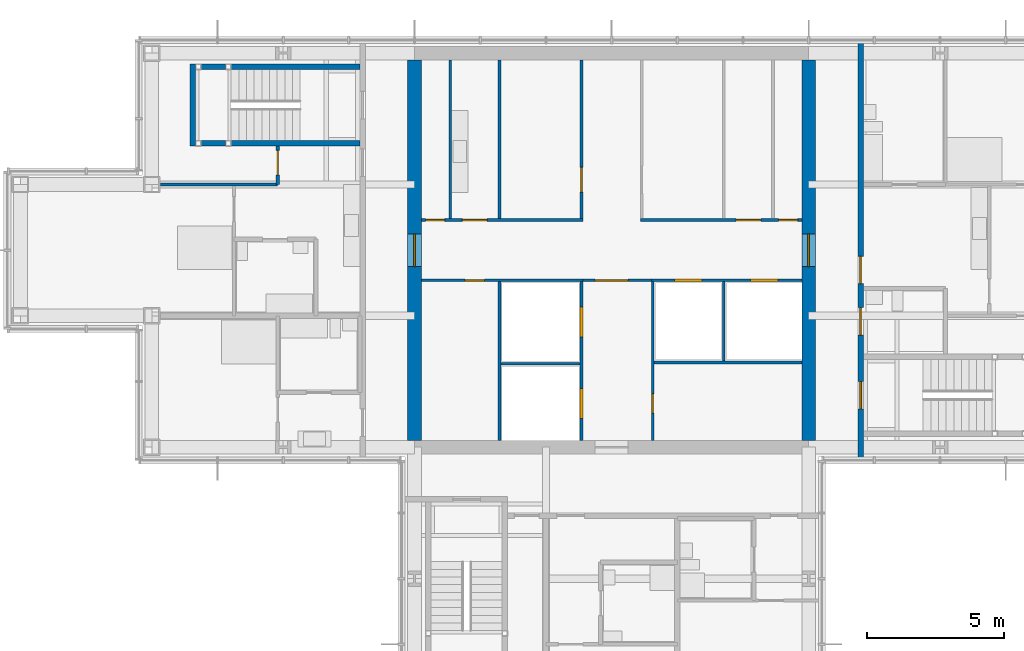
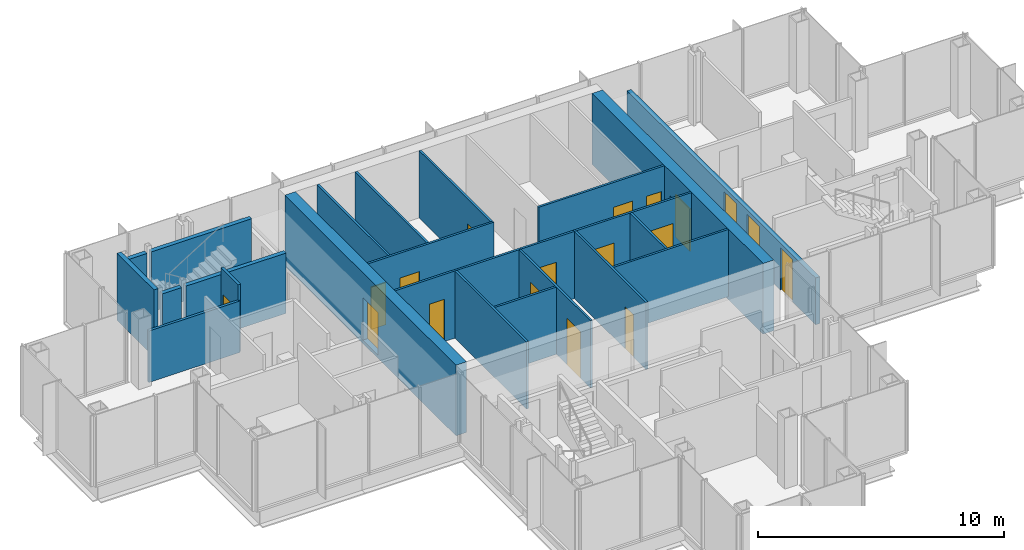
# One storey, part 11 of 15: 24 walls, 18 doors, 18 openings.
"""IFC4 building model written with IfcOpenShell, lengths in metres."""

import ifcopenshell
import ifcopenshell.guid

model = None  # the IFC model being written
_history = None  # IfcOwnerHistory: only IFC2X3 demands one
_inside = {}  # id of a spatial element -> (the spatial element, [elements in it])
_under = {}  # id of a project, library or spatial element -> (it, [spatial elements below it])
_declared = {}  # id of a project -> (the project, [libraries it declares])
_typed = {}  # id of a type object -> (the type object, [elements of that type])
_made_of = {}  # id of a material, layer set ... -> (it, [elements and type objects made of it])


def new_model(schema):
    """Start an empty IFC model of exactly this schema.

    Asked for "IFC4X3", IfcOpenShell would pick the latest addendum, in which some entities
    have other attributes; the version numbers below select the first issue.
    IFC2X3 requires an IfcOwnerHistory on every rooted entity: one is made here for all.
    """
    global model, _history
    if schema == "IFC4X3":
        model = ifcopenshell.file(schema_version=(4, 3, 0, 0))
    else:
        model = ifcopenshell.file(schema=schema)
    _inside.clear()
    _under.clear()
    _declared.clear()
    _typed.clear()
    _made_of.clear()
    _history = None
    if model.schema == "IFC2X3":
        org = make("IfcOrganization", Name="unknown")
        user = make(
            "IfcPersonAndOrganization",
            ThePerson=make("IfcPerson", FamilyName="unknown"),
            TheOrganization=org,
        )
        app = make(
            "IfcApplication",
            ApplicationDeveloper=org,
            Version="unknown",
            ApplicationFullName="unknown",
            ApplicationIdentifier="unknown",
        )
        _history = make(
            "IfcOwnerHistory",
            OwningUser=user,
            OwningApplication=app,
            ChangeAction="ADDED",
            CreationDate=0,
        )
    return model


def make(cls, **values):
    """One entity of the class cls with the attributes given. An attribute that is None is left unset."""
    return model.create_entity(
        cls, **{name: value for name, value in values.items() if value is not None}
    )


def rooted(cls, **values):
    """An entity with a GlobalId (a new one), such as an element, a storey or a relation."""
    return make(cls, GlobalId=ifcopenshell.guid.new(), OwnerHistory=_history, **values)


def si_unit(unit_type, name, prefix=None):
    """IfcSIUnit, for example si_unit("LENGTHUNIT", "METRE", prefix="MILLI")."""
    return make("IfcSIUnit", UnitType=unit_type, Prefix=prefix, Name=name)


def assignment(units):
    """IfcUnitAssignment: the units of a project."""
    return None if units is None else make("IfcUnitAssignment", Units=units)


def point(xyz):
    """IfcCartesianPoint."""
    return None if xyz is None else make("IfcCartesianPoint", Coordinates=xyz)


def direction(xyz):
    """IfcDirection."""
    return None if xyz is None else make("IfcDirection", DirectionRatios=xyz)


def frame(location, z_axis=None, x_axis=None):
    """IfcAxis2Placement3D, a coordinate frame: its origin and axes. An axis left out is left unset."""
    return make(
        "IfcAxis2Placement3D",
        Location=point(location),
        Axis=direction(z_axis),
        RefDirection=direction(x_axis),
    )


def frame_2d(location, x_axis=None):
    """IfcAxis2Placement2D, a coordinate frame in the plane: its origin and x axis."""
    return make(
        "IfcAxis2Placement2D", Location=point(location), RefDirection=direction(x_axis)
    )


def origin():
    """The frame at (0, 0, 0) with its axes left unset."""
    return frame((0.0, 0.0, 0.0))


def place(relative_to, where):
    """IfcLocalPlacement: puts the frame where relative to a parent placement (None: the world)."""
    return make(
        "IfcLocalPlacement", PlacementRelTo=relative_to, RelativePlacement=where
    )


def context(
    kind, dimensions, precision=None, world=None, true_north=None, identifier=None
):
    """IfcGeometricRepresentationContext, for example the 3D "Model" context."""
    return make(
        "IfcGeometricRepresentationContext",
        ContextIdentifier=identifier,
        ContextType=kind,
        CoordinateSpaceDimension=dimensions,
        Precision=precision,
        WorldCoordinateSystem=world,
        TrueNorth=true_north,
    )


def subcontext(parent, identifier, kind, view, scale=None):
    """IfcGeometricRepresentationSubContext, for example "Body" below "Model"."""
    return make(
        "IfcGeometricRepresentationSubContext",
        ContextIdentifier=identifier,
        ContextType=kind,
        ParentContext=parent,
        TargetScale=scale,
        TargetView=view,
    )


def project(units=None, contexts=None):
    """IfcProject with its units and contexts."""
    return rooted(
        "IfcProject",
        Name="project",
        RepresentationContexts=contexts,
        UnitsInContext=assignment(units),
    )


def spatial(cls, under=None, at=None, **own):
    """A site, building, storey or space (cls), placed at a placement, below another one or the project."""
    s = rooted(cls, ObjectPlacement=at, **own)
    if under is not None:
        _under.setdefault(under.id(), (under, []))[1].append(s)
    return s


def profile(cls, at=None, kind="AREA", **sizes):
    """A parametric profile (cls). Its sizes go by their IFC names, for example OverallWidth=200.0."""
    return make(cls, ProfileType=kind, Position=at, **sizes)


def rectangle(**sizes):
    """IfcRectangleProfileDef."""
    return profile("IfcRectangleProfileDef", **sizes)


def extrude(swept, where, along, depth):
    """IfcExtrudedAreaSolid: the profile swept, set in the frame where, extruded along a direction by depth."""
    return make(
        "IfcExtrudedAreaSolid",
        SweptArea=swept,
        Position=where,
        ExtrudedDirection=direction(along),
        Depth=depth,
    )


def shape(context_of_items, identifier, shape_type, items):
    """IfcShapeRepresentation: the items that make up one representation, for example the "Body"."""
    return make(
        "IfcShapeRepresentation",
        ContextOfItems=context_of_items,
        RepresentationIdentifier=identifier,
        RepresentationType=shape_type,
        Items=items,
    )


def material(Name=None, Category=None):
    """IfcMaterial."""
    return make("IfcMaterial", Name=Name, Category=Category)


def layer(
    of_material, thickness, ventilated=None, Name=None, Category=None, Priority=None
):
    """IfcMaterialLayer: one layer of a wall or slab, of a material (None: an air gap)."""
    return make(
        "IfcMaterialLayer",
        Material=of_material,
        LayerThickness=thickness,
        IsVentilated=ventilated,
        Name=Name,
        Category=Category,
        Priority=Priority,
    )


def layer_set(layers, Name=None):
    """IfcMaterialLayerSet."""
    return make("IfcMaterialLayerSet", MaterialLayers=layers, LayerSetName=Name)


def made_of(thing, what):
    """Note that an element or type object is made of a material, layer set ...; save() writes the relation."""
    if what is not None:
        _made_of.setdefault(what.id(), (what, []))[1].append(thing)
    return thing


def type_object(cls, material=None, **own):
    """A type object (cls), such as IfcWallType, which elements share."""
    return made_of(rooted(cls, **own), material)


def element(
    cls,
    number,
    at=None,
    inside=None,
    cuts=None,
    type_object=None,
    material=None,
    context=None,
    identifier="Body",
    shape_type=None,
    held_by="IfcProductDefinitionShape",
    body=None,
    shapes=None,
    **own,
):
    """One element of the class cls, such as IfcWall. Its Tag is "e" and its number.

    at: its placement. inside: the storey or other place that contains it. cuts: it is an
    opening in that element (IfcRelVoidsElement). A single representation is given by context,
    identifier, shape_type and body (its items); several are given by shapes. held_by: the class
    of the entity that holds the representations. save() writes the other relations.
    """
    e = rooted(cls, Tag="e%d" % number, ObjectPlacement=at, **own)
    if body is not None:
        shapes = [shape(context, identifier, shape_type, body)]
    if shapes is not None:
        e.Representation = make(held_by, Representations=shapes)
    if inside is not None:
        _inside.setdefault(inside.id(), (inside, []))[1].append(e)
    if cuts is not None:
        rooted(
            "IfcRelVoidsElement", RelatingBuildingElement=cuts, RelatedOpeningElement=e
        )
    if type_object is not None:
        _typed.setdefault(type_object.id(), (type_object, []))[1].append(e)
    return made_of(e, material)


def fill(opening, filler):
    """IfcRelFillsElement: the door or window that sits in an opening."""
    return rooted(
        "IfcRelFillsElement",
        RelatingOpeningElement=opening,
        RelatedBuildingElement=filler,
    )


def aggregate(whole, parts):
    """IfcRelAggregates: a whole, such as a stair, and the parts it consists of."""
    return rooted("IfcRelAggregates", RelatingObject=whole, RelatedObjects=parts)


def save(model, path):
    """Write the relations noted so far, then the file.

    IfcRelAggregates (storeys below a building ...), IfcRelContainedInSpatialStructure (elements
    in a storey), IfcRelDefinesByType, IfcRelAssociatesMaterial and IfcRelDeclares: one each for
    every whole, place, type object, material and project.
    """
    for whole, parts in _under.values():
        aggregate(whole, parts)
    for where, things in _inside.values():
        rooted(
            "IfcRelContainedInSpatialStructure",
            RelatedElements=things,
            RelatingStructure=where,
        )
    for kind, things in _typed.values():
        rooted("IfcRelDefinesByType", RelatedObjects=things, RelatingType=kind)
    for what, things in _made_of.values():
        rooted("IfcRelAssociatesMaterial", RelatedObjects=things, RelatingMaterial=what)
    for by, libraries in _declared.values():
        rooted("IfcRelDeclares", RelatingContext=by, RelatedDefinitions=libraries)
    model.write(path)


model = new_model("IFC4")

# Units and contexts
model_context = context("Model", 3, precision=1e-05, world=origin(), true_north=direction((0.0, 1.0)))
body_context = subcontext(model_context, "Body", "Model", "MODEL_VIEW")
ifc_project = project(units=[si_unit("LENGTHUNIT", "METRE"), si_unit("AREAUNIT", "SQUARE_METRE"), si_unit("VOLUMEUNIT", "CUBIC_METRE"), si_unit("PLANEANGLEUNIT", "RADIAN"), si_unit("MASSUNIT", "GRAM", prefix="KILO")], contexts=[model_context])

# Site, building, storey
site_placement = place(None, origin())
site = spatial("IfcSite", under=ifc_project, at=site_placement, CompositionType="ELEMENT")
building_placement = place(site_placement, origin())
building = spatial("IfcBuilding", under=site, at=building_placement, Name="Kvirike Care Tower", CompositionType="ELEMENT")
storey_placement = place(building_placement, frame((0.0, 0.0, 208.5)))
storey = spatial("IfcBuildingStorey", under=building, at=storey_placement, Name="L57", CompositionType="ELEMENT", Elevation=208.5)

# Wall, opening, door
ifc_material_1 = material(Name="Concrete C40/50", Category="concrete")
ifc_layer_1 = layer(ifc_material_1, 0.5)
ifc_layer_set_1 = layer_set([ifc_layer_1], Name="CORE WALL 500 C40-50")
wall_type_1 = type_object("IfcWallType", Name="CORE WALL 500 C40-50", PredefinedType="SHEAR", material=ifc_layer_set_1)
wall_1_placement = place(storey_placement, frame((14.39990234375, 42.949951171875, -0.169921875), z_axis=(0.0, 0.0, 1.0), x_axis=(0.0, -1.0, 0.0)))
wall_1 = element("IfcWall", 1, at=wall_1_placement, inside=storey, type_object=wall_type_1, Name="Core wall W L57", PredefinedType="SHEAR", context=body_context, shape_type="SweptSolid", body=[
    extrude(rectangle(XDim=13.89990234375, YDim=0.5, at=frame_2d((6.949951171875, 0.0))), origin(), (0.0, 0.0, 1.0), 3.5),
])
opening_1_placement = place(wall_1_placement, frame((6.35009765625, 0.0, 0.169921875)))
opening_1 = element("IfcOpeningElement", 2, at=opening_1_placement, cuts=wall_1, Name="Opening 57-038", PredefinedType="OPENING", context=body_context, shape_type="SweptSolid", body=[
    extrude(rectangle(XDim=1.199951171875, YDim=2.10009765625, at=frame_2d((0.60009765625, 1.050048828125))), frame((0.0, 0.260498046875, 0.0), z_axis=(0.0, -1.0, 0.0), x_axis=(1.0, 0.0, 0.0)), (0.0, 0.0, 1.0), 0.52099609375),
])
ifc_material_2 = material(Name="Timber door set", Category="wood")
door_type_1 = type_object("IfcDoorType", Name="CORE DOOR 1200", OperationType="SINGLE_SWING_LEFT", PredefinedType="DOOR", material=ifc_material_2)
door_1_placement = place(opening_1_placement, origin())
door_1 = element("IfcDoor", 3, at=door_1_placement, inside=storey, type_object=door_type_1, Name="Core door W L57", OperationType="SINGLE_SWING_LEFT", OverallHeight=2.10009765625, OverallWidth=1.199951171875, PredefinedType="DOOR", context=body_context, shape_type="SweptSolid", body=[
    extrude(rectangle(XDim=1.199951171875, YDim=2.10009765625, at=frame_2d((0.60009765625, 1.050048828125))), frame((0.0, 0.02685546875, 0.0), z_axis=(0.0, -1.0, 0.0), x_axis=(1.0, 0.0, 0.0)), (0.0, 0.0, 1.0), 0.053955078125),
])
fill(opening_1, door_1)

wall_2_placement = place(storey_placement, frame((28.800048828125, 29.050048828125, -0.169921875), z_axis=(0.0, 0.0, 1.0), x_axis=(0.0, 1.0, 0.0)))
wall_2 = element("IfcWall", 4, at=wall_2_placement, inside=storey, type_object=wall_type_1, Name="Core wall E L57", PredefinedType="SHEAR", context=body_context, shape_type="SweptSolid", body=[
    extrude(rectangle(XDim=13.89990234375, YDim=0.5, at=frame_2d((6.949951171875, 0.0))), origin(), (0.0, 0.0, 1.0), 3.5),
])
opening_2_placement = place(wall_2_placement, frame((6.35009765625, 0.0, 0.169921875)))
opening_2 = element("IfcOpeningElement", 5, at=opening_2_placement, cuts=wall_2, Name="Opening 57-039", PredefinedType="OPENING", context=body_context, shape_type="SweptSolid", body=[
    extrude(rectangle(XDim=1.199951171875, YDim=2.10009765625, at=frame_2d((0.60009765625, 1.050048828125))), frame((0.0, 0.260498046875, 0.0), z_axis=(0.0, -1.0, 0.0), x_axis=(1.0, 0.0, 0.0)), (0.0, 0.0, 1.0), 0.52099609375),
])
door_2_placement = place(opening_2_placement, origin())
door_2 = element("IfcDoor", 6, at=door_2_placement, inside=storey, type_object=door_type_1, Name="Core door E L57", OperationType="SINGLE_SWING_LEFT", OverallHeight=2.10009765625, OverallWidth=1.199951171875, PredefinedType="DOOR", context=body_context, shape_type="SweptSolid", body=[
    extrude(rectangle(XDim=1.199951171875, YDim=2.10009765625, at=frame_2d((0.60009765625, 1.050048828125))), frame((0.0, 0.02685546875, 0.0), z_axis=(0.0, -1.0, 0.0), x_axis=(1.0, 0.0, 0.0)), (0.0, 0.0, 1.0), 0.053955078125),
])
fill(opening_2, door_2)

# Wall, openings, doors
ifc_material_3 = material(Name="Plasterboard corridor wall", Category="gypsum")
ifc_layer_2 = layer(ifc_material_3, 0.199951171875)
ifc_layer_set_2 = layer_set([ifc_layer_2], Name="CORRIDOR WALL 200")
wall_type_2 = type_object("IfcWallType", Name="CORRIDOR WALL 200", PredefinedType="PARTITIONING", material=ifc_layer_set_2)
wall_3_placement = place(storey_placement, frame((30.699951171875, 28.344970703125, 0.0), z_axis=(0.0, 0.0, 1.0), x_axis=(0.0, 1.0, 0.0)))
wall_3 = element("IfcWall", 7, at=wall_3_placement, inside=storey, type_object=wall_type_2, Name="Corridor Wall 200 L57", PredefinedType="PARTITIONING", context=body_context, shape_type="SweptSolid", body=[
    extrude(rectangle(XDim=15.31005859375, YDim=0.199951171875, at=frame_2d((7.655029296875, 0.0))), origin(), (0.0, 0.0, 1.0), 2.320068359375),
])
opening_3_placement = place(wall_3_placement, frame((1.85498046875, 0.0, 0.0)))
opening_3 = element("IfcOpeningElement", 8, at=opening_3_placement, cuts=wall_3, Name="Opening 57-021", PredefinedType="OPENING", context=body_context, shape_type="SweptSolid", body=[
    extrude(rectangle(XDim=1.0, YDim=2.10009765625, at=frame_2d((0.5, 1.050048828125))), frame((0.0, 0.110595703125, 0.0), z_axis=(0.0, -1.0, 0.0), x_axis=(1.0, 0.0, 0.0)), (0.0, 0.0, 1.0), 0.220947265625),
])
opening_4_placement = place(wall_3_placement, frame((4.554931640625, 0.0, 0.0)))
opening_4 = element("IfcOpeningElement", 9, at=opening_4_placement, cuts=wall_3, Name="Opening 57-022", PredefinedType="OPENING", context=body_context, shape_type="SweptSolid", body=[
    extrude(rectangle(XDim=1.0, YDim=2.10009765625, at=frame_2d((0.5, 1.050048828125))), frame((0.0, 0.110595703125, 0.0), z_axis=(0.0, -1.0, 0.0), x_axis=(1.0, 0.0, 0.0)), (0.0, 0.0, 1.0), 0.220947265625),
])
opening_5_placement = place(wall_3_placement, frame((6.429931640625, 0.0, 0.0)))
opening_5 = element("IfcOpeningElement", 10, at=opening_5_placement, cuts=wall_3, Name="Opening 57-023", PredefinedType="OPENING", context=body_context, shape_type="SweptSolid", body=[
    extrude(rectangle(XDim=1.0, YDim=2.10009765625, at=frame_2d((0.5, 1.050048828125))), frame((0.0, 0.110595703125, 0.0), z_axis=(0.0, -1.0, 0.0), x_axis=(1.0, 0.0, 0.0)), (0.0, 0.0, 1.0), 0.220947265625),
])
ifc_material_4 = material(Name="Timber door set", Category="wood")
door_type_2 = type_object("IfcDoorType", Name="FLAT ENTRANCE DOOR 1000", OperationType="SINGLE_SWING_LEFT", PredefinedType="DOOR", material=ifc_material_4)
door_3_placement = place(opening_5_placement, frame((1.0, 0.0, 0.0), z_axis=(0.0, 0.0, 1.0), x_axis=(-1.0, 0.0, 0.0)))
door_3 = element("IfcDoor", 11, at=door_3_placement, inside=storey, type_object=door_type_2, Name="Two-bedroom apartment entrance", OperationType="SINGLE_SWING_LEFT", OverallHeight=2.10009765625, OverallWidth=1.0, PredefinedType="DOOR", context=body_context, shape_type="SweptSolid", body=[
    extrude(rectangle(XDim=1.0, YDim=2.10009765625, at=frame_2d((0.5, 1.050048828125))), frame((0.0, 0.02685546875, 0.0), z_axis=(0.0, -1.0, 0.0), x_axis=(1.0, 0.0, 0.0)), (0.0, 0.0, 1.0), 0.053955078125),
])
fill(opening_5, door_3)
ifc_material_5 = material(Name="Timber door set", Category="wood")
door_type_3 = type_object("IfcDoorType", Name="STAIR DOOR 1000", OperationType="SINGLE_SWING_LEFT", PredefinedType="DOOR", material=ifc_material_5)
door_4_placement = place(opening_3_placement, frame((1.0, 0.0, 0.0), z_axis=(0.0, 0.0, 1.0), x_axis=(-1.0, 0.0, 0.0)))
door_4 = element("IfcDoor", 12, at=door_4_placement, inside=storey, type_object=door_type_3, Name="Stair 2 door", OperationType="SINGLE_SWING_RIGHT", OverallHeight=2.10009765625, OverallWidth=1.0, PredefinedType="DOOR", context=body_context, shape_type="SweptSolid", body=[
    extrude(rectangle(XDim=1.0, YDim=2.10009765625, at=frame_2d((0.5, 1.050048828125))), frame((0.0, 0.031982421875, 0.0), z_axis=(0.0, -1.0, 0.0), x_axis=(1.0, 0.0, 0.0)), (0.0, 0.0, 1.0), 0.06396484375),
])
fill(opening_3, door_4)
ifc_material_6 = material(Name="Timber door set", Category="wood")
door_type_4 = type_object("IfcDoorType", Name="WC DOOR 1000", OperationType="SINGLE_SWING_LEFT", PredefinedType="DOOR", material=ifc_material_6)
door_5_placement = place(opening_4_placement, frame((1.0, 0.0, 0.0), z_axis=(0.0, 0.0, 1.0), x_axis=(-1.0, 0.0, 0.0)))
door_5 = element("IfcDoor", 13, at=door_5_placement, inside=storey, type_object=door_type_4, Name="Accessible WC door", OperationType="SINGLE_SWING_LEFT", OverallHeight=2.10009765625, OverallWidth=1.0, PredefinedType="DOOR", context=body_context, shape_type="SweptSolid", body=[
    extrude(rectangle(XDim=1.0, YDim=2.10009765625, at=frame_2d((0.5, 1.050048828125))), frame((0.0, 0.02685546875, 0.0), z_axis=(0.0, -1.0, 0.0), x_axis=(1.0, 0.0, 0.0)), (0.0, 0.0, 1.0), 0.053955078125),
])
fill(opening_4, door_5)

# Wall, opening, door
ifc_material_7 = material(Name="Plasterboard partition", Category="gypsum")
ifc_layer_3 = layer(ifc_material_7, 0.1201171875)
ifc_layer_set_3 = layer_set([ifc_layer_3], Name="PARTITION 120")
wall_type_3 = type_object("IfcWallType", Name="PARTITION 120", PredefinedType="PARTITIONING", material=ifc_layer_set_3)
wall_4_placement = place(storey_placement, frame((9.39990234375, 39.800048828125, 0.0), z_axis=(0.0, 0.0, 1.0), x_axis=(0.0, -1.0, 0.0)))
wall_4 = element("IfcWall", 14, at=wall_4_placement, inside=storey, type_object=wall_type_3, Name="Partition 120 L57", PredefinedType="PARTITIONING", context=body_context, shape_type="SweptSolid", body=[
    extrude(rectangle(XDim=1.400146484375, YDim=0.1201171875, at=frame_2d((0.7001953125, 0.0))), origin(), (0.0, 0.0, 1.0), 3.330078125),
])
opening_6_placement = place(wall_4_placement, frame((0.14990234375, 0.0, 0.0)))
opening_6 = element("IfcOpeningElement", 15, at=opening_6_placement, cuts=wall_4, Name="Opening 57-002", PredefinedType="OPENING", context=body_context, shape_type="SweptSolid", body=[
    extrude(rectangle(XDim=0.89990234375, YDim=2.10009765625, at=frame_2d((0.449951171875, 1.050048828125))), frame((0.0, 0.070556640625, 0.0), z_axis=(0.0, -1.0, 0.0), x_axis=(1.0, 0.0, 0.0)), (0.0, 0.0, 1.0), 0.14111328125),
])
ifc_material_8 = material(Name="Timber door set", Category="wood")
door_type_5 = type_object("IfcDoorType", Name="INTERNAL DOOR 900", OperationType="SINGLE_SWING_LEFT", PredefinedType="DOOR", material=ifc_material_8)
door_6_placement = place(opening_6_placement, frame((0.89990234375, 0.0, 0.0), z_axis=(0.0, 0.0, 1.0), x_axis=(-1.0, 0.0, 0.0)))
door_6 = element("IfcDoor", 16, at=door_6_placement, inside=storey, type_object=door_type_5, Name="Apartment living room door", OperationType="SINGLE_SWING_LEFT", OverallHeight=2.10009765625, OverallWidth=0.89990234375, PredefinedType="DOOR", context=body_context, shape_type="SweptSolid", body=[
    extrude(rectangle(XDim=0.89990234375, YDim=2.10009765625, at=frame_2d((0.449951171875, 1.050048828125))), frame((0.0, 0.02197265625, 0.0), z_axis=(0.0, -1.0, 0.0), x_axis=(1.0, 0.0, 0.0)), (0.0, 0.0, 1.0), 0.0439453125),
])
fill(opening_6, door_6)

# Walls
wall_5_placement = place(storey_placement, frame((5.1201171875, 38.39990234375, 0.0), z_axis=(0.0, 0.0, 1.0), x_axis=(1.0, 0.0, 0.0)))
element("IfcWall", 17, at=wall_5_placement, inside=storey, type_object=wall_type_3, Name="Partition 120 L57", PredefinedType="PARTITIONING", context=body_context, shape_type="SweptSolid", body=[
    extrude(rectangle(XDim=4.27978515625, YDim=0.1201171875, at=frame_2d((2.139892578125, 0.0))), origin(), (0.0, 0.0, 1.0), 2.550048828125),
])
ifc_material_9 = material(Name="Gypsum shaft wall system", Category="gypsum")
ifc_layer_4 = layer(ifc_material_9, 0.10009765625)
ifc_layer_set_4 = layer_set([ifc_layer_4], Name="SHAFT WALL 100")
wall_type_4 = type_object("IfcWallType", Name="SHAFT WALL 100", PredefinedType="SOLIDWALL", material=ifc_layer_set_4)
wall_6_placement = place(storey_placement, frame((15.699951171875, 37.14990234375, 0.0), z_axis=(0.0, 0.0, 1.0), x_axis=(0.0, 1.0, 0.0)))
element("IfcWall", 18, at=wall_6_placement, inside=storey, type_object=wall_type_4, Name="Shaft Wall 100 L57", PredefinedType="SOLIDWALL", context=body_context, shape_type="SweptSolid", body=[
    extrude(rectangle(XDim=5.800048828125, YDim=0.10009765625, at=frame_2d((2.89990234375, 0.0))), origin(), (0.0, 0.0, 1.0), 3.330078125),
])

# Wall, openings, doors
wall_7_placement = place(storey_placement, frame((20.5, 29.050048828125, 0.0), z_axis=(0.0, 0.0, 1.0), x_axis=(0.0, 1.0, 0.0)))
wall_7 = element("IfcWall", 19, at=wall_7_placement, inside=storey, type_object=wall_type_4, Name="Shaft Wall 100 L57", PredefinedType="SOLIDWALL", context=body_context, shape_type="SweptSolid", body=[
    extrude(rectangle(XDim=5.800048828125, YDim=0.10009765625, at=frame_2d((2.89990234375, 0.0))), origin(), (0.0, 0.0, 1.0), 3.330078125),
])
opening_7_placement = place(wall_7_placement, frame((0.800048828125, 0.0, 0.0)))
opening_7 = element("IfcOpeningElement", 20, at=opening_7_placement, cuts=wall_7, Name="Opening 57-024", PredefinedType="OPENING", context=body_context, shape_type="SweptSolid", body=[
    extrude(rectangle(XDim=1.10009765625, YDim=2.300048828125, at=frame_2d((0.550048828125, 1.14990234375))), frame((0.0, 0.060546875, 0.0), z_axis=(0.0, -1.0, 0.0), x_axis=(1.0, 0.0, 0.0)), (0.0, 0.0, 1.0), 0.12109375),
])
opening_8_placement = place(wall_7_placement, frame((3.77490234375, 0.0, 0.0)))
opening_8 = element("IfcOpeningElement", 21, at=opening_8_placement, cuts=wall_7, Name="Opening 57-025", PredefinedType="OPENING", context=body_context, shape_type="SweptSolid", body=[
    extrude(rectangle(XDim=1.10009765625, YDim=2.300048828125, at=frame_2d((0.550048828125, 1.14990234375))), frame((0.0, 0.060546875, 0.0), z_axis=(0.0, -1.0, 0.0), x_axis=(1.0, 0.0, 0.0)), (0.0, 0.0, 1.0), 0.12109375),
])
ifc_material_10 = material(Name="Aluminium door frame", Category="aluminium")
door_type_6 = type_object("IfcDoorType", Name="FIRE-FIGHTING LIFT LANDING DOOR 1100", OperationType="SLIDING_TO_LEFT", PredefinedType="DOOR", material=ifc_material_10)
door_7_placement = place(opening_7_placement, origin())
door_7 = element("IfcDoor", 22, at=door_7_placement, inside=storey, type_object=door_type_6, Name="Lift FF1 landing door", OperationType="SLIDING_TO_LEFT", OverallHeight=2.300048828125, OverallWidth=1.10009765625, PredefinedType="DOOR", context=body_context, shape_type="SweptSolid", body=[
    extrude(rectangle(XDim=1.10009765625, YDim=2.300048828125, at=frame_2d((0.550048828125, 1.14990234375))), frame((0.0, 0.0498046875, 0.0), z_axis=(0.0, -1.0, 0.0), x_axis=(1.0, 0.0, 0.0)), (0.0, 0.0, 1.0), 0.099609375),
])
fill(opening_7, door_7)
door_8_placement = place(opening_8_placement, origin())
door_8 = element("IfcDoor", 23, at=door_8_placement, inside=storey, type_object=door_type_6, Name="Lift FF2 landing door", OperationType="SLIDING_TO_LEFT", OverallHeight=2.300048828125, OverallWidth=1.10009765625, PredefinedType="DOOR", context=body_context, shape_type="SweptSolid", body=[
    extrude(rectangle(XDim=1.10009765625, YDim=2.300048828125, at=frame_2d((0.550048828125, 1.14990234375))), frame((0.0, 0.0498046875, 0.0), z_axis=(0.0, -1.0, 0.0), x_axis=(1.0, 0.0, 0.0)), (0.0, 0.0, 1.0), 0.099609375),
])
fill(opening_8, door_8)

# Wall, opening, door
wall_8_placement = place(storey_placement, frame((20.5, 37.14990234375, 0.0), z_axis=(0.0, 0.0, 1.0), x_axis=(0.0, 1.0, 0.0)))
wall_8 = element("IfcWall", 24, at=wall_8_placement, inside=storey, type_object=wall_type_4, Name="Shaft Wall 100 L57", PredefinedType="SOLIDWALL", context=body_context, shape_type="SweptSolid", body=[
    extrude(rectangle(XDim=5.800048828125, YDim=0.10009765625, at=frame_2d((2.89990234375, 0.0))), origin(), (0.0, 0.0, 1.0), 3.330078125),
])
opening_9_placement = place(wall_8_placement, frame((0.97509765625, 0.0, 0.0)))
opening_9 = element("IfcOpeningElement", 25, at=opening_9_placement, cuts=wall_8, Name="Opening 57-026", PredefinedType="OPENING", context=body_context, shape_type="SweptSolid", body=[
    extrude(rectangle(XDim=0.89990234375, YDim=2.10009765625, at=frame_2d((0.449951171875, 1.050048828125))), frame((0.0, 0.060546875, 0.0), z_axis=(0.0, -1.0, 0.0), x_axis=(1.0, 0.0, 0.0)), (0.0, 0.0, 1.0), 0.12109375),
])
ifc_material_11 = material(Name="Timber door set", Category="wood")
door_type_7 = type_object("IfcDoorType", Name="STORE DOOR 900", OperationType="SINGLE_SWING_LEFT", PredefinedType="DOOR", material=ifc_material_11)
door_9_placement = place(opening_9_placement, origin())
door_9 = element("IfcDoor", 26, at=door_9_placement, inside=storey, type_object=door_type_7, Name="Records store door", OperationType="SINGLE_SWING_RIGHT", OverallHeight=2.10009765625, OverallWidth=0.89990234375, PredefinedType="DOOR", context=body_context, shape_type="SweptSolid", body=[
    extrude(rectangle(XDim=0.89990234375, YDim=2.10009765625, at=frame_2d((0.449951171875, 1.050048828125))), frame((0.0, 0.02685546875, 0.0), z_axis=(0.0, -1.0, 0.0), x_axis=(1.0, 0.0, 0.0)), (0.0, 0.0, 1.0), 0.053955078125),
])
fill(opening_9, door_9)

wall_9_placement = place(storey_placement, frame((23.10009765625, 29.050048828125, 0.0), z_axis=(0.0, 0.0, 1.0), x_axis=(0.0, 1.0, 0.0)))
wall_9 = element("IfcWall", 27, at=wall_9_placement, inside=storey, type_object=wall_type_4, Name="Shaft Wall 100 L57", PredefinedType="SOLIDWALL", context=body_context, shape_type="SweptSolid", body=[
    extrude(rectangle(XDim=5.800048828125, YDim=0.10009765625, at=frame_2d((2.89990234375, 0.0))), origin(), (0.0, 0.0, 1.0), 3.330078125),
])
opening_10_placement = place(wall_9_placement, frame((1.0, 0.0, 0.0)))
opening_10 = element("IfcOpeningElement", 28, at=opening_10_placement, cuts=wall_9, Name="Opening 57-028", PredefinedType="OPENING", context=body_context, shape_type="SweptSolid", body=[
    extrude(rectangle(XDim=0.699951171875, YDim=2.10009765625, at=frame_2d((0.35009765625, 1.050048828125))), frame((0.0, 0.060546875, 0.0), z_axis=(0.0, -1.0, 0.0), x_axis=(1.0, 0.0, 0.0)), (0.0, 0.0, 1.0), 0.12109375),
])
ifc_material_12 = material(Name="Timber door set", Category="wood")
door_type_8 = type_object("IfcDoorType", Name="RISER DOOR 700", OperationType="SINGLE_SWING_LEFT", PredefinedType="DOOR", material=ifc_material_12)
door_10_placement = place(opening_10_placement, origin())
door_10 = element("IfcDoor", 29, at=door_10_placement, inside=storey, type_object=door_type_8, Name="Riser door", OperationType="SINGLE_SWING_RIGHT", OverallHeight=2.10009765625, OverallWidth=0.699951171875, PredefinedType="DOOR", context=body_context, shape_type="SweptSolid", body=[
    extrude(rectangle(XDim=0.699951171875, YDim=2.10009765625, at=frame_2d((0.35009765625, 1.050048828125))), frame((0.0, 0.02685546875, 0.0), z_axis=(0.0, -1.0, 0.0), x_axis=(1.0, 0.0, 0.0)), (0.0, 0.0, 1.0), 0.053955078125),
])
fill(opening_10, door_10)

wall_10_placement = place(storey_placement, frame((14.64990234375, 34.89990234375, 0.0), z_axis=(0.0, 0.0, 1.0), x_axis=(1.0, 0.0, 0.0)))
wall_10 = element("IfcWall", 30, at=wall_10_placement, inside=storey, type_object=wall_type_4, Name="Shaft Wall 100 L57", PredefinedType="SOLIDWALL", context=body_context, shape_type="SweptSolid", body=[
    extrude(rectangle(XDim=5.900146484375, YDim=0.10009765625, at=frame_2d((2.9501953125, 0.0))), origin(), (0.0, 0.0, 1.0), 3.330078125),
])
opening_11_placement = place(wall_10_placement, frame((1.60009765625, 0.0, 0.0)))
opening_11 = element("IfcOpeningElement", 31, at=opening_11_placement, cuts=wall_10, Name="Opening 57-029", PredefinedType="OPENING", context=body_context, shape_type="SweptSolid", body=[
    extrude(rectangle(XDim=0.699951171875, YDim=2.10009765625, at=frame_2d((0.35009765625, 1.050048828125))), frame((0.0, 0.060546875, 0.0), z_axis=(0.0, -1.0, 0.0), x_axis=(1.0, 0.0, 0.0)), (0.0, 0.0, 1.0), 0.12109375),
])
door_11_placement = place(opening_11_placement, frame((0.699951171875, 0.0, 0.0), z_axis=(0.0, 0.0, 1.0), x_axis=(-1.0, 0.0, 0.0)))
door_11 = element("IfcDoor", 32, at=door_11_placement, inside=storey, type_object=door_type_8, Name="Riser door", OperationType="SINGLE_SWING_RIGHT", OverallHeight=2.10009765625, OverallWidth=0.699951171875, PredefinedType="DOOR", context=body_context, shape_type="SweptSolid", body=[
    extrude(rectangle(XDim=0.699951171875, YDim=2.10009765625, at=frame_2d((0.35009765625, 1.050048828125))), frame((0.0, 0.02685546875, 0.0), z_axis=(0.0, -1.0, 0.0), x_axis=(1.0, 0.0, 0.0)), (0.0, 0.0, 1.0), 0.053955078125),
])
fill(opening_11, door_11)

# Wall, openings, doors
wall_11_placement = place(storey_placement, frame((23.050048828125, 34.89990234375, 0.0), z_axis=(0.0, 0.0, 1.0), x_axis=(1.0, 0.0, 0.0)))
wall_11 = element("IfcWall", 33, at=wall_11_placement, inside=storey, type_object=wall_type_4, Name="Shaft Wall 100 L57", PredefinedType="SOLIDWALL", context=body_context, shape_type="SweptSolid", body=[
    extrude(rectangle(XDim=5.5, YDim=0.10009765625, at=frame_2d((2.75, 0.0))), origin(), (0.0, 0.0, 1.0), 3.330078125),
])
opening_12_placement = place(wall_11_placement, frame((0.85009765625, 0.0, 0.0)))
opening_12 = element("IfcOpeningElement", 34, at=opening_12_placement, cuts=wall_11, Name="Opening 57-030", PredefinedType="OPENING", context=body_context, shape_type="SweptSolid", body=[
    extrude(rectangle(XDim=1.0, YDim=2.10009765625, at=frame_2d((0.5, 1.050048828125))), frame((0.0, 0.060546875, 0.0), z_axis=(0.0, -1.0, 0.0), x_axis=(1.0, 0.0, 0.0)), (0.0, 0.0, 1.0), 0.12109375),
])
opening_13_placement = place(wall_11_placement, frame((3.625, 0.0, 0.0)))
opening_13 = element("IfcOpeningElement", 35, at=opening_13_placement, cuts=wall_11, Name="Opening 57-031", PredefinedType="OPENING", context=body_context, shape_type="SweptSolid", body=[
    extrude(rectangle(XDim=1.0, YDim=2.10009765625, at=frame_2d((0.5, 1.050048828125))), frame((0.0, 0.060546875, 0.0), z_axis=(0.0, -1.0, 0.0), x_axis=(1.0, 0.0, 0.0)), (0.0, 0.0, 1.0), 0.12109375),
])
ifc_material_13 = material(Name="Aluminium door frame", Category="aluminium")
door_type_9 = type_object("IfcDoorType", Name="LIFT LANDING DOOR 1000", OperationType="SLIDING_TO_LEFT", PredefinedType="DOOR", material=ifc_material_13)
door_12_placement = place(opening_12_placement, origin())
door_12 = element("IfcDoor", 36, at=door_12_placement, inside=storey, type_object=door_type_9, Name="Lift P5 landing door", OperationType="SLIDING_TO_LEFT", OverallHeight=2.10009765625, OverallWidth=1.0, PredefinedType="DOOR", context=body_context, shape_type="SweptSolid", body=[
    extrude(rectangle(XDim=1.0, YDim=2.10009765625, at=frame_2d((0.5, 1.050048828125))), frame((0.0, 0.0498046875, 0.0), z_axis=(0.0, -1.0, 0.0), x_axis=(1.0, 0.0, 0.0)), (0.0, 0.0, 1.0), 0.099609375),
])
fill(opening_12, door_12)
door_13_placement = place(opening_13_placement, origin())
door_13 = element("IfcDoor", 37, at=door_13_placement, inside=storey, type_object=door_type_9, Name="Lift P6 landing door", OperationType="SLIDING_TO_LEFT", OverallHeight=2.10009765625, OverallWidth=1.0, PredefinedType="DOOR", context=body_context, shape_type="SweptSolid", body=[
    extrude(rectangle(XDim=1.0, YDim=2.10009765625, at=frame_2d((0.5, 1.050048828125))), frame((0.0, 0.0498046875, 0.0), z_axis=(0.0, -1.0, 0.0), x_axis=(1.0, 0.0, 0.0)), (0.0, 0.0, 1.0), 0.099609375),
])
fill(opening_13, door_13)

wall_12_placement = place(storey_placement, frame((14.64990234375, 37.10009765625, 0.0), z_axis=(0.0, 0.0, 1.0), x_axis=(1.0, 0.0, 0.0)))
wall_12 = element("IfcWall", 38, at=wall_12_placement, inside=storey, type_object=wall_type_4, Name="Shaft Wall 100 L57", PredefinedType="SOLIDWALL", context=body_context, shape_type="SweptSolid", body=[
    extrude(rectangle(XDim=5.900146484375, YDim=0.10009765625, at=frame_2d((2.9501953125, 0.0))), origin(), (0.0, 0.0, 1.0), 3.330078125),
])
opening_14_placement = place(wall_12_placement, frame((0.14990234375, 0.0, 0.0)))
opening_14 = element("IfcOpeningElement", 39, at=opening_14_placement, cuts=wall_12, Name="Opening 57-032", PredefinedType="OPENING", context=body_context, shape_type="SweptSolid", body=[
    extrude(rectangle(XDim=0.699951171875, YDim=2.10009765625, at=frame_2d((0.35009765625, 1.050048828125))), frame((0.0, 0.060546875, 0.0), z_axis=(0.0, -1.0, 0.0), x_axis=(1.0, 0.0, 0.0)), (0.0, 0.0, 1.0), 0.12109375),
])
opening_15_placement = place(wall_12_placement, frame((1.5, 0.0, 0.0)))
opening_15 = element("IfcOpeningElement", 40, at=opening_15_placement, cuts=wall_12, Name="Opening 57-033", PredefinedType="OPENING", context=body_context, shape_type="SweptSolid", body=[
    extrude(rectangle(XDim=0.89990234375, YDim=2.10009765625, at=frame_2d((0.449951171875, 1.050048828125))), frame((0.0, 0.060546875, 0.0), z_axis=(0.0, -1.0, 0.0), x_axis=(1.0, 0.0, 0.0)), (0.0, 0.0, 1.0), 0.12109375),
])
door_14_placement = place(opening_14_placement, origin())
door_14 = element("IfcDoor", 41, at=door_14_placement, inside=storey, type_object=door_type_8, Name="Riser door", OperationType="SINGLE_SWING_LEFT", OverallHeight=2.10009765625, OverallWidth=0.699951171875, PredefinedType="DOOR", context=body_context, shape_type="SweptSolid", body=[
    extrude(rectangle(XDim=0.699951171875, YDim=2.10009765625, at=frame_2d((0.35009765625, 1.050048828125))), frame((0.0, 0.02685546875, 0.0), z_axis=(0.0, -1.0, 0.0), x_axis=(1.0, 0.0, 0.0)), (0.0, 0.0, 1.0), 0.053955078125),
])
fill(opening_14, door_14)
door_15_placement = place(opening_15_placement, origin())
door_15 = element("IfcDoor", 42, at=door_15_placement, inside=storey, type_object=door_type_7, Name="Resident pantry door", OperationType="SINGLE_SWING_LEFT", OverallHeight=2.10009765625, OverallWidth=0.89990234375, PredefinedType="DOOR", context=body_context, shape_type="SweptSolid", body=[
    extrude(rectangle(XDim=0.89990234375, YDim=2.10009765625, at=frame_2d((0.449951171875, 1.050048828125))), frame((0.0, 0.02685546875, 0.0), z_axis=(0.0, -1.0, 0.0), x_axis=(1.0, 0.0, 0.0)), (0.0, 0.0, 1.0), 0.053955078125),
])
fill(opening_15, door_15)

wall_13_placement = place(storey_placement, frame((22.64990234375, 37.10009765625, 0.0), z_axis=(0.0, 0.0, 1.0), x_axis=(1.0, 0.0, 0.0)))
wall_13 = element("IfcWall", 43, at=wall_13_placement, inside=storey, type_object=wall_type_4, Name="Shaft Wall 100 L57", PredefinedType="SOLIDWALL", context=body_context, shape_type="SweptSolid", body=[
    extrude(rectangle(XDim=5.900146484375, YDim=0.10009765625, at=frame_2d((2.9501953125, 0.0))), origin(), (0.0, 0.0, 1.0), 3.330078125),
])
opening_16_placement = place(wall_13_placement, frame((3.5, 0.0, 0.0)))
opening_16 = element("IfcOpeningElement", 44, at=opening_16_placement, cuts=wall_13, Name="Opening 57-034", PredefinedType="OPENING", context=body_context, shape_type="SweptSolid", body=[
    extrude(rectangle(XDim=0.89990234375, YDim=2.10009765625, at=frame_2d((0.449951171875, 1.050048828125))), frame((0.0, 0.060546875, 0.0), z_axis=(0.0, -1.0, 0.0), x_axis=(1.0, 0.0, 0.0)), (0.0, 0.0, 1.0), 0.12109375),
])
opening_17_placement = place(wall_13_placement, frame((5.050048828125, 0.0, 0.0)))
opening_17 = element("IfcOpeningElement", 45, at=opening_17_placement, cuts=wall_13, Name="Opening 57-035", PredefinedType="OPENING", context=body_context, shape_type="SweptSolid", body=[
    extrude(rectangle(XDim=0.699951171875, YDim=2.10009765625, at=frame_2d((0.35009765625, 1.050048828125))), frame((0.0, 0.060546875, 0.0), z_axis=(0.0, -1.0, 0.0), x_axis=(1.0, 0.0, 0.0)), (0.0, 0.0, 1.0), 0.12109375),
])
door_16_placement = place(opening_17_placement, origin())
door_16 = element("IfcDoor", 46, at=door_16_placement, inside=storey, type_object=door_type_8, Name="Riser door", OperationType="SINGLE_SWING_RIGHT", OverallHeight=2.10009765625, OverallWidth=0.699951171875, PredefinedType="DOOR", context=body_context, shape_type="SweptSolid", body=[
    extrude(rectangle(XDim=0.699951171875, YDim=2.10009765625, at=frame_2d((0.35009765625, 1.050048828125))), frame((0.0, 0.02685546875, 0.0), z_axis=(0.0, -1.0, 0.0), x_axis=(1.0, 0.0, 0.0)), (0.0, 0.0, 1.0), 0.053955078125),
])
fill(opening_17, door_16)
door_17_placement = place(opening_16_placement, origin())
door_17 = element("IfcDoor", 47, at=door_17_placement, inside=storey, type_object=door_type_7, Name="Cleaners store door", OperationType="SINGLE_SWING_LEFT", OverallHeight=2.10009765625, OverallWidth=0.89990234375, PredefinedType="DOOR", context=body_context, shape_type="SweptSolid", body=[
    extrude(rectangle(XDim=0.89990234375, YDim=2.10009765625, at=frame_2d((0.449951171875, 1.050048828125))), frame((0.0, 0.02685546875, 0.0), z_axis=(0.0, -1.0, 0.0), x_axis=(1.0, 0.0, 0.0)), (0.0, 0.0, 1.0), 0.053955078125),
])
fill(opening_16, door_17)

# Wall, opening, door
wall_14_placement = place(storey_placement, frame((20.550048828125, 34.89990234375, 0.0), z_axis=(0.0, 0.0, 1.0), x_axis=(1.0, 0.0, 0.0)))
wall_14 = element("IfcWall", 48, at=wall_14_placement, inside=storey, type_object=wall_type_4, Name="Shaft Wall 100 L57", PredefinedType="SOLIDWALL", context=body_context, shape_type="SweptSolid", body=[
    extrude(rectangle(XDim=2.5, YDim=0.10009765625, at=frame_2d((1.25, 0.0))), origin(), (0.0, 0.0, 1.0), 3.330078125),
])
opening_18_placement = place(wall_14_placement, frame((0.449951171875, 0.0, 0.0)))
opening_18 = element("IfcOpeningElement", 49, at=opening_18_placement, cuts=wall_14, Name="Opening 57-036", PredefinedType="OPENING", context=body_context, shape_type="SweptSolid", body=[
    extrude(rectangle(XDim=1.199951171875, YDim=2.10009765625, at=frame_2d((0.60009765625, 1.050048828125))), frame((0.0, 0.060546875, 0.0), z_axis=(0.0, -1.0, 0.0), x_axis=(1.0, 0.0, 0.0)), (0.0, 0.0, 1.0), 0.12109375),
])
door_18_placement = place(opening_18_placement, frame((1.199951171875, 0.0, 0.0), z_axis=(0.0, 0.0, 1.0), x_axis=(-1.0, 0.0, 0.0)))
door_18 = element("IfcDoor", 50, at=door_18_placement, inside=storey, type_object=door_type_1, Name="Fire-fighting lobby door", OperationType="SINGLE_SWING_LEFT", OverallHeight=2.10009765625, OverallWidth=1.199951171875, PredefinedType="DOOR", context=body_context, shape_type="SweptSolid", body=[
    extrude(rectangle(XDim=1.199951171875, YDim=2.10009765625, at=frame_2d((0.60009765625, 1.050048828125))), frame((0.0, 0.02685546875, 0.0), z_axis=(0.0, -1.0, 0.0), x_axis=(1.0, 0.0, 0.0)), (0.0, 0.0, 1.0), 0.053955078125),
])
fill(opening_18, door_18)

# Walls
wall_15_placement = place(storey_placement, frame((17.5, 29.050048828125, 0.0), z_axis=(0.0, 0.0, 1.0), x_axis=(0.0, 1.0, 0.0)))
element("IfcWall", 51, at=wall_15_placement, inside=storey, type_object=wall_type_4, Name="Shaft Wall 100 L57", PredefinedType="SOLIDWALL", context=body_context, shape_type="SweptSolid", body=[
    extrude(rectangle(XDim=5.800048828125, YDim=0.10009765625, at=frame_2d((2.89990234375, 0.0))), origin(), (0.0, 0.0, 1.0), 3.330078125),
])
wall_16_placement = place(storey_placement, frame((17.550048828125, 31.85009765625, 0.0), z_axis=(0.0, 0.0, 1.0), x_axis=(1.0, 0.0, 0.0)))
element("IfcWall", 52, at=wall_16_placement, inside=storey, type_object=wall_type_4, Name="Shaft Wall 100 L57", PredefinedType="SOLIDWALL", context=body_context, shape_type="SweptSolid", body=[
    extrude(rectangle(XDim=2.89990234375, YDim=0.10009765625, at=frame_2d((1.449951171875, 0.0))), origin(), (0.0, 0.0, 1.0), 3.330078125),
])
wall_17_placement = place(storey_placement, frame((17.5, 37.14990234375, 0.0), z_axis=(0.0, 0.0, 1.0), x_axis=(0.0, 1.0, 0.0)))
element("IfcWall", 53, at=wall_17_placement, inside=storey, type_object=wall_type_4, Name="Shaft Wall 100 L57", PredefinedType="SOLIDWALL", context=body_context, shape_type="SweptSolid", body=[
    extrude(rectangle(XDim=5.800048828125, YDim=0.10009765625, at=frame_2d((2.89990234375, 0.0))), origin(), (0.0, 0.0, 1.0), 3.330078125),
])
wall_18_placement = place(storey_placement, frame((25.699951171875, 31.949951171875, 0.0), z_axis=(0.0, 0.0, 1.0), x_axis=(0.0, 1.0, 0.0)))
element("IfcWall", 54, at=wall_18_placement, inside=storey, type_object=wall_type_4, Name="Shaft Wall 100 L57", PredefinedType="SOLIDWALL", context=body_context, shape_type="SweptSolid", body=[
    extrude(rectangle(XDim=2.900146484375, YDim=0.10009765625, at=frame_2d((1.4501953125, 0.0))), origin(), (0.0, 0.0, 1.0), 3.330078125),
])
wall_19_placement = place(storey_placement, frame((23.14990234375, 31.89990234375, 0.0), z_axis=(0.0, 0.0, 1.0), x_axis=(1.0, 0.0, 0.0)))
element("IfcWall", 55, at=wall_19_placement, inside=storey, type_object=wall_type_4, Name="Shaft Wall 100 L57", PredefinedType="SOLIDWALL", context=body_context, shape_type="SweptSolid", body=[
    extrude(rectangle(XDim=5.400146484375, YDim=0.10009765625, at=frame_2d((2.7001953125, 0.0))), origin(), (0.0, 0.0, 1.0), 3.330078125),
])
ifc_material_14 = material(Name="Concrete C40/50", Category="concrete")
ifc_layer_5 = layer(ifc_material_14, 0.199951171875)
ifc_layer_set_5 = layer_set([ifc_layer_5], Name="STAIR WALL 200")
wall_type_5 = type_object("IfcWallType", Name="STAIR WALL 200", PredefinedType="SOLIDWALL", material=ifc_layer_set_5)
wall_20_placement = place(storey_placement, frame((6.60009765625, 42.699951171875, 0.0), z_axis=(0.0, 0.0, 1.0), x_axis=(1.0, 0.0, 0.0)))
element("IfcWall", 56, at=wall_20_placement, inside=storey, type_object=wall_type_5, Name="Stair Wall 200 L57", PredefinedType="SOLIDWALL", context=body_context, shape_type="SweptSolid", body=[
    extrude(rectangle(XDim=0.89990234375, YDim=0.199951171875, at=frame_2d((0.449951171875, 0.0))), origin(), (0.0, 0.0, 1.0), 2.989990234375),
])
wall_21_placement = place(storey_placement, frame((7.699951171875, 42.699951171875, 0.0), z_axis=(0.0, 0.0, 1.0), x_axis=(1.0, 0.0, 0.0)))
element("IfcWall", 57, at=wall_21_placement, inside=storey, type_object=wall_type_5, Name="Stair Wall 200 L57", PredefinedType="SOLIDWALL", context=body_context, shape_type="SweptSolid", body=[
    extrude(rectangle(XDim=4.699951171875, YDim=0.199951171875, at=frame_2d((2.35009765625, 0.0))), origin(), (0.0, 0.0, 1.0), 2.989990234375),
])
wall_22_placement = place(storey_placement, frame((6.60009765625, 39.89990234375, 0.0), z_axis=(0.0, 0.0, 1.0), x_axis=(1.0, 0.0, 0.0)))
element("IfcWall", 58, at=wall_22_placement, inside=storey, type_object=wall_type_5, Name="Stair Wall 200 L57", PredefinedType="SOLIDWALL", context=body_context, shape_type="SweptSolid", body=[
    extrude(rectangle(XDim=0.89990234375, YDim=0.199951171875, at=frame_2d((0.449951171875, 0.0))), origin(), (0.0, 0.0, 1.0), 2.989990234375),
])
wall_23_placement = place(storey_placement, frame((7.699951171875, 39.89990234375, 0.0), z_axis=(0.0, 0.0, 1.0), x_axis=(1.0, 0.0, 0.0)))
element("IfcWall", 59, at=wall_23_placement, inside=storey, type_object=wall_type_5, Name="Stair Wall 200 L57", PredefinedType="SOLIDWALL", context=body_context, shape_type="SweptSolid", body=[
    extrude(rectangle(XDim=4.699951171875, YDim=0.199951171875, at=frame_2d((2.35009765625, 0.0))), origin(), (0.0, 0.0, 1.0), 2.989990234375),
])
wall_24_placement = place(storey_placement, frame((6.300048828125, 42.800048828125, 0.0), z_axis=(0.0, 0.0, 1.0), x_axis=(0.0, -1.0, 0.0)))
element("IfcWall", 60, at=wall_24_placement, inside=storey, type_object=wall_type_5, Name="Stair Wall 200 L57", PredefinedType="SOLIDWALL", context=body_context, shape_type="SweptSolid", body=[
    extrude(rectangle(XDim=3.0, YDim=0.199951171875, at=frame_2d((1.5, 0.0))), origin(), (0.0, 0.0, 1.0), 3.330078125),
])

save(model, "model.ifc")
